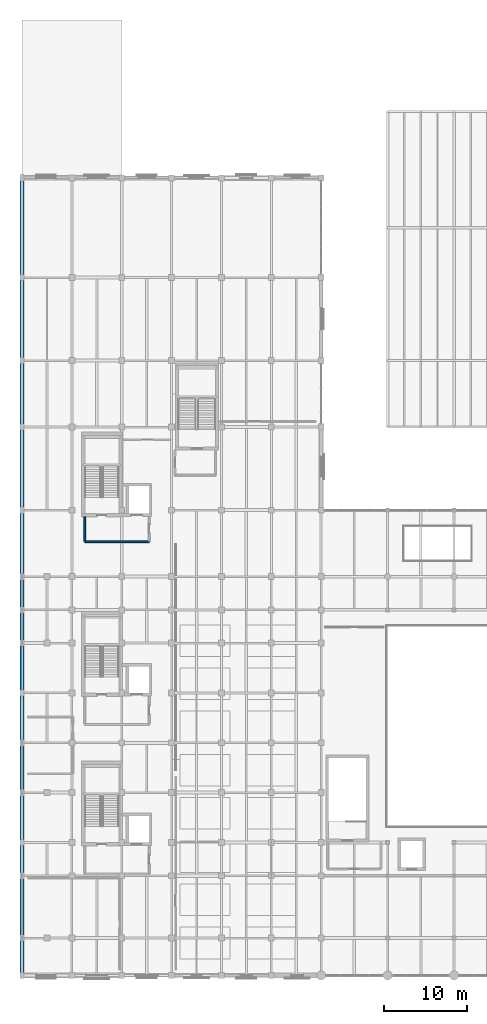
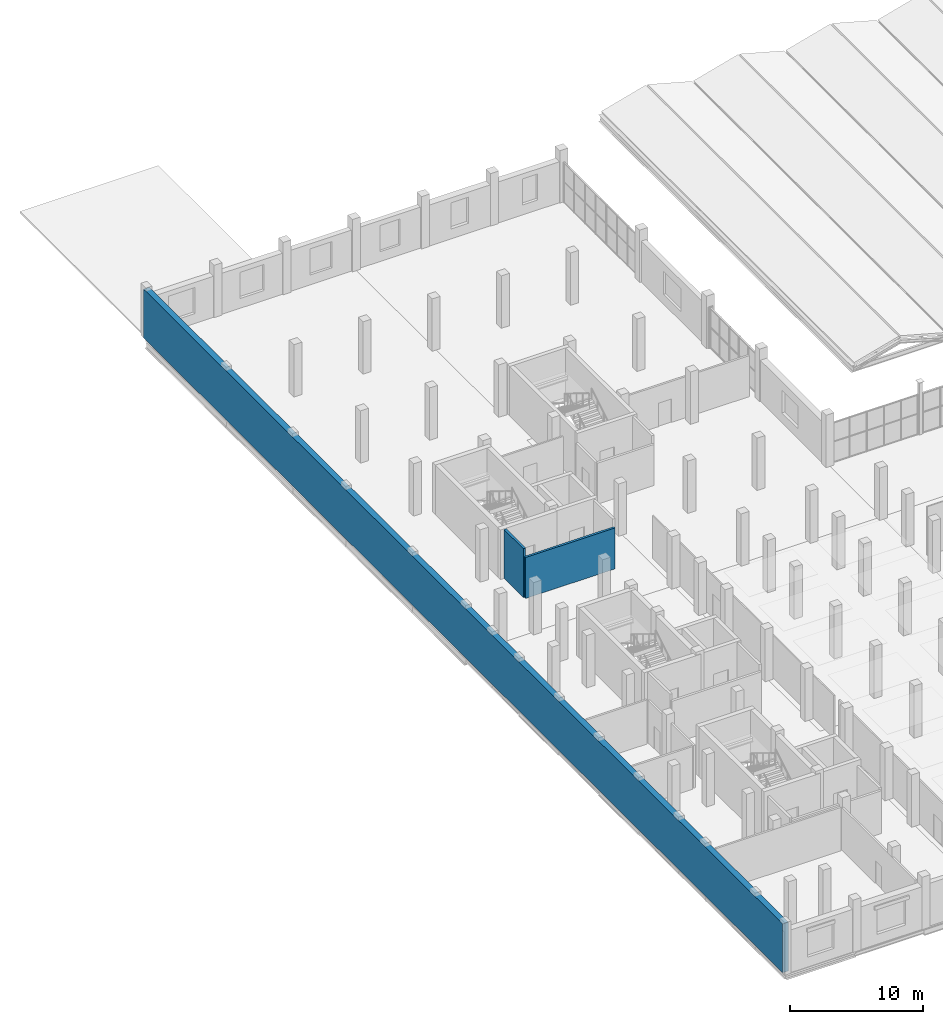
# One storey, part 98 of 114: 3 walls.
"""IFC4 building model written with IfcOpenShell, lengths in metres."""

import ifcopenshell
import ifcopenshell.guid

model = None  # the IFC model being written
_history = None  # IfcOwnerHistory: only IFC2X3 demands one
_inside = {}  # id of a spatial element -> (the spatial element, [elements in it])
_under = {}  # id of a project, library or spatial element -> (it, [spatial elements below it])
_declared = {}  # id of a project -> (the project, [libraries it declares])
_typed = {}  # id of a type object -> (the type object, [elements of that type])
_made_of = {}  # id of a material, layer set ... -> (it, [elements and type objects made of it])


def new_model(schema):
    """Start an empty IFC model of exactly this schema.

    Asked for "IFC4X3", IfcOpenShell would pick the latest addendum, in which some entities
    have other attributes; the version numbers below select the first issue.
    IFC2X3 requires an IfcOwnerHistory on every rooted entity: one is made here for all.
    """
    global model, _history
    if schema == "IFC4X3":
        model = ifcopenshell.file(schema_version=(4, 3, 0, 0))
    else:
        model = ifcopenshell.file(schema=schema)
    _inside.clear()
    _under.clear()
    _declared.clear()
    _typed.clear()
    _made_of.clear()
    _history = None
    if model.schema == "IFC2X3":
        org = make("IfcOrganization", Name="unknown")
        user = make(
            "IfcPersonAndOrganization",
            ThePerson=make("IfcPerson", FamilyName="unknown"),
            TheOrganization=org,
        )
        app = make(
            "IfcApplication",
            ApplicationDeveloper=org,
            Version="unknown",
            ApplicationFullName="unknown",
            ApplicationIdentifier="unknown",
        )
        _history = make(
            "IfcOwnerHistory",
            OwningUser=user,
            OwningApplication=app,
            ChangeAction="ADDED",
            CreationDate=0,
        )
    return model


def make(cls, **values):
    """One entity of the class cls with the attributes given. An attribute that is None is left unset."""
    return model.create_entity(
        cls, **{name: value for name, value in values.items() if value is not None}
    )


def rooted(cls, **values):
    """An entity with a GlobalId (a new one), such as an element, a storey or a relation."""
    return make(cls, GlobalId=ifcopenshell.guid.new(), OwnerHistory=_history, **values)


def si_unit(unit_type, name, prefix=None):
    """IfcSIUnit, for example si_unit("LENGTHUNIT", "METRE", prefix="MILLI")."""
    return make("IfcSIUnit", UnitType=unit_type, Prefix=prefix, Name=name)


def assignment(units):
    """IfcUnitAssignment: the units of a project."""
    return None if units is None else make("IfcUnitAssignment", Units=units)


def point(xyz):
    """IfcCartesianPoint."""
    return None if xyz is None else make("IfcCartesianPoint", Coordinates=xyz)


def direction(xyz):
    """IfcDirection."""
    return None if xyz is None else make("IfcDirection", DirectionRatios=xyz)


def frame(location, z_axis=None, x_axis=None):
    """IfcAxis2Placement3D, a coordinate frame: its origin and axes. An axis left out is left unset."""
    return make(
        "IfcAxis2Placement3D",
        Location=point(location),
        Axis=direction(z_axis),
        RefDirection=direction(x_axis),
    )


def frame_2d(location, x_axis=None):
    """IfcAxis2Placement2D, a coordinate frame in the plane: its origin and x axis."""
    return make(
        "IfcAxis2Placement2D", Location=point(location), RefDirection=direction(x_axis)
    )


def origin():
    """The frame at (0, 0, 0) with its axes left unset."""
    return frame((0.0, 0.0, 0.0))


def place(relative_to, where):
    """IfcLocalPlacement: puts the frame where relative to a parent placement (None: the world)."""
    return make(
        "IfcLocalPlacement", PlacementRelTo=relative_to, RelativePlacement=where
    )


def context(
    kind, dimensions, precision=None, world=None, true_north=None, identifier=None
):
    """IfcGeometricRepresentationContext, for example the 3D "Model" context."""
    return make(
        "IfcGeometricRepresentationContext",
        ContextIdentifier=identifier,
        ContextType=kind,
        CoordinateSpaceDimension=dimensions,
        Precision=precision,
        WorldCoordinateSystem=world,
        TrueNorth=true_north,
    )


def subcontext(parent, identifier, kind, view, scale=None):
    """IfcGeometricRepresentationSubContext, for example "Body" below "Model"."""
    return make(
        "IfcGeometricRepresentationSubContext",
        ContextIdentifier=identifier,
        ContextType=kind,
        ParentContext=parent,
        TargetScale=scale,
        TargetView=view,
    )


def project(units=None, contexts=None):
    """IfcProject with its units and contexts."""
    return rooted(
        "IfcProject",
        Name="project",
        RepresentationContexts=contexts,
        UnitsInContext=assignment(units),
    )


def spatial(cls, under=None, at=None, **own):
    """A site, building, storey or space (cls), placed at a placement, below another one or the project."""
    s = rooted(cls, ObjectPlacement=at, **own)
    if under is not None:
        _under.setdefault(under.id(), (under, []))[1].append(s)
    return s


def profile(cls, at=None, kind="AREA", **sizes):
    """A parametric profile (cls). Its sizes go by their IFC names, for example OverallWidth=200.0."""
    return make(cls, ProfileType=kind, Position=at, **sizes)


def rectangle(**sizes):
    """IfcRectangleProfileDef."""
    return profile("IfcRectangleProfileDef", **sizes)


def extrude(swept, where, along, depth):
    """IfcExtrudedAreaSolid: the profile swept, set in the frame where, extruded along a direction by depth."""
    return make(
        "IfcExtrudedAreaSolid",
        SweptArea=swept,
        Position=where,
        ExtrudedDirection=direction(along),
        Depth=depth,
    )


def shape(context_of_items, identifier, shape_type, items):
    """IfcShapeRepresentation: the items that make up one representation, for example the "Body"."""
    return make(
        "IfcShapeRepresentation",
        ContextOfItems=context_of_items,
        RepresentationIdentifier=identifier,
        RepresentationType=shape_type,
        Items=items,
    )


def material(Name=None, Category=None):
    """IfcMaterial."""
    return make("IfcMaterial", Name=Name, Category=Category)


def layer(
    of_material, thickness, ventilated=None, Name=None, Category=None, Priority=None
):
    """IfcMaterialLayer: one layer of a wall or slab, of a material (None: an air gap)."""
    return make(
        "IfcMaterialLayer",
        Material=of_material,
        LayerThickness=thickness,
        IsVentilated=ventilated,
        Name=Name,
        Category=Category,
        Priority=Priority,
    )


def layer_set(layers, Name=None):
    """IfcMaterialLayerSet."""
    return make("IfcMaterialLayerSet", MaterialLayers=layers, LayerSetName=Name)


def made_of(thing, what):
    """Note that an element or type object is made of a material, layer set ...; save() writes the relation."""
    if what is not None:
        _made_of.setdefault(what.id(), (what, []))[1].append(thing)
    return thing


def type_object(cls, material=None, **own):
    """A type object (cls), such as IfcWallType, which elements share."""
    return made_of(rooted(cls, **own), material)


def element(
    cls,
    number,
    at=None,
    inside=None,
    cuts=None,
    type_object=None,
    material=None,
    context=None,
    identifier="Body",
    shape_type=None,
    held_by="IfcProductDefinitionShape",
    body=None,
    shapes=None,
    **own,
):
    """One element of the class cls, such as IfcWall. Its Tag is "e" and its number.

    at: its placement. inside: the storey or other place that contains it. cuts: it is an
    opening in that element (IfcRelVoidsElement). A single representation is given by context,
    identifier, shape_type and body (its items); several are given by shapes. held_by: the class
    of the entity that holds the representations. save() writes the other relations.
    """
    e = rooted(cls, Tag="e%d" % number, ObjectPlacement=at, **own)
    if body is not None:
        shapes = [shape(context, identifier, shape_type, body)]
    if shapes is not None:
        e.Representation = make(held_by, Representations=shapes)
    if inside is not None:
        _inside.setdefault(inside.id(), (inside, []))[1].append(e)
    if cuts is not None:
        rooted(
            "IfcRelVoidsElement", RelatingBuildingElement=cuts, RelatedOpeningElement=e
        )
    if type_object is not None:
        _typed.setdefault(type_object.id(), (type_object, []))[1].append(e)
    return made_of(e, material)


def aggregate(whole, parts):
    """IfcRelAggregates: a whole, such as a stair, and the parts it consists of."""
    return rooted("IfcRelAggregates", RelatingObject=whole, RelatedObjects=parts)


def save(model, path):
    """Write the relations noted so far, then the file.

    IfcRelAggregates (storeys below a building ...), IfcRelContainedInSpatialStructure (elements
    in a storey), IfcRelDefinesByType, IfcRelAssociatesMaterial and IfcRelDeclares: one each for
    every whole, place, type object, material and project.
    """
    for whole, parts in _under.values():
        aggregate(whole, parts)
    for where, things in _inside.values():
        rooted(
            "IfcRelContainedInSpatialStructure",
            RelatedElements=things,
            RelatingStructure=where,
        )
    for kind, things in _typed.values():
        rooted("IfcRelDefinesByType", RelatedObjects=things, RelatingType=kind)
    for what, things in _made_of.values():
        rooted("IfcRelAssociatesMaterial", RelatedObjects=things, RelatingMaterial=what)
    for by, libraries in _declared.values():
        rooted("IfcRelDeclares", RelatingContext=by, RelatedDefinitions=libraries)
    model.write(path)


model = new_model("IFC4")

# Units and contexts
model_context = context("Model", 3, precision=1e-05, world=origin(), true_north=direction((0.0, 1.0)))
body_context = subcontext(model_context, "Body", "Model", "MODEL_VIEW")
ifc_project = project(units=[si_unit("LENGTHUNIT", "METRE"), si_unit("AREAUNIT", "SQUARE_METRE"), si_unit("VOLUMEUNIT", "CUBIC_METRE"), si_unit("PLANEANGLEUNIT", "RADIAN"), si_unit("MASSUNIT", "GRAM", prefix="KILO")], contexts=[model_context])

# Site, building, storey
site_placement = place(None, origin())
site = spatial("IfcSite", under=ifc_project, at=site_placement, CompositionType="ELEMENT")
building_placement = place(site_placement, origin())
building = spatial("IfcBuilding", under=site, at=building_placement, Name="Verrall Gate Interchange", CompositionType="ELEMENT")
storey_placement = place(building_placement, frame((0.0, 0.0, 6.60009765625)))
storey = spatial("IfcBuildingStorey", under=building, at=storey_placement, Name="L02", CompositionType="ELEMENT", Elevation=6.60009765625)

# Walls
ifc_material_1 = material(Name="Concrete CSA A23.1 35 MPa Zero-Lot 2h Party Wall (U=0.18)", Category="concrete")
ifc_layer_1 = layer(ifc_material_1, 0.5)
ifc_layer_set_1 = layer_set([ifc_layer_1], Name="Concrete CSA A23.1 35 MPa Zero-Lot 2h Party Wall (U=0.18)")
wall_type_1 = type_object("IfcWallType", Name="EW-PTY Exterior Solid Wall 500", PredefinedType="SOLIDWALL", material=ifc_layer_set_1)
wall_1_placement = place(storey_placement, frame((0.0, -0.008056640625, 0.0), z_axis=(0.0, 0.0, 1.0), x_axis=(0.0, 1.0, 0.0)))
element("IfcWall", 1, at=wall_1_placement, inside=storey, type_object=wall_type_1, Name="L02 West Zero-Lot 2h Party Wall 002", PredefinedType="SOLIDWALL", context=body_context, shape_type="SweptSolid", body=[
    extrude(rectangle(XDim=96.01611328125, YDim=0.5, at=frame_2d((48.008056640625, 0.0))), origin(), (0.0, 0.0, 1.0), 4.47998046875),
])
ifc_material_2 = material(Name="Fire-Rated Type X Gypsum Stud Partition Assembly (60 min)", Category="gypsum")
ifc_layer_2 = layer(ifc_material_2, 0.199951171875)
ifc_layer_set_2 = layer_set([ifc_layer_2], Name="Fire-Rated Type X Gypsum Stud Partition Assembly (60 min)")
wall_type_2 = type_object("IfcWallType", Name="IW-01 Interior Partition Wall 200", PredefinedType="PARTITIONING", material=ifc_layer_set_2)
wall_2_placement = place(storey_placement, frame((7.550048828125, 52.199951171875, 0.0), z_axis=(0.0, 0.0, 1.0), x_axis=(1.0, 0.0, 0.0)))
element("IfcWall", 2, at=wall_2_placement, inside=storey, type_object=wall_type_2, Name="L02 Core C3 Lobby South Rated Wall", PredefinedType="PARTITIONING", context=body_context, shape_type="SweptSolid", body=[
    extrude(rectangle(XDim=7.75, YDim=0.199951171875, at=frame_2d((3.875, 0.0))), origin(), (0.0, 0.0, 1.0), 3.7568359375),
])
wall_3_placement = place(storey_placement, frame((7.550048828125, 55.199951171875, 0.0), z_axis=(0.0, 0.0, 1.0), x_axis=(0.0, -1.0, 0.0)))
element("IfcWall", 3, at=wall_3_placement, inside=storey, type_object=wall_type_2, Name="L02 Core C3 Lobby West Rated Wall", PredefinedType="PARTITIONING", context=body_context, shape_type="SweptSolid", body=[
    extrude(rectangle(XDim=2.919921875, YDim=0.199951171875, at=frame_2d((1.4599609375, 0.0))), origin(), (0.0, 0.0, 1.0), 4.47998046875),
])

save(model, "model.ifc")
